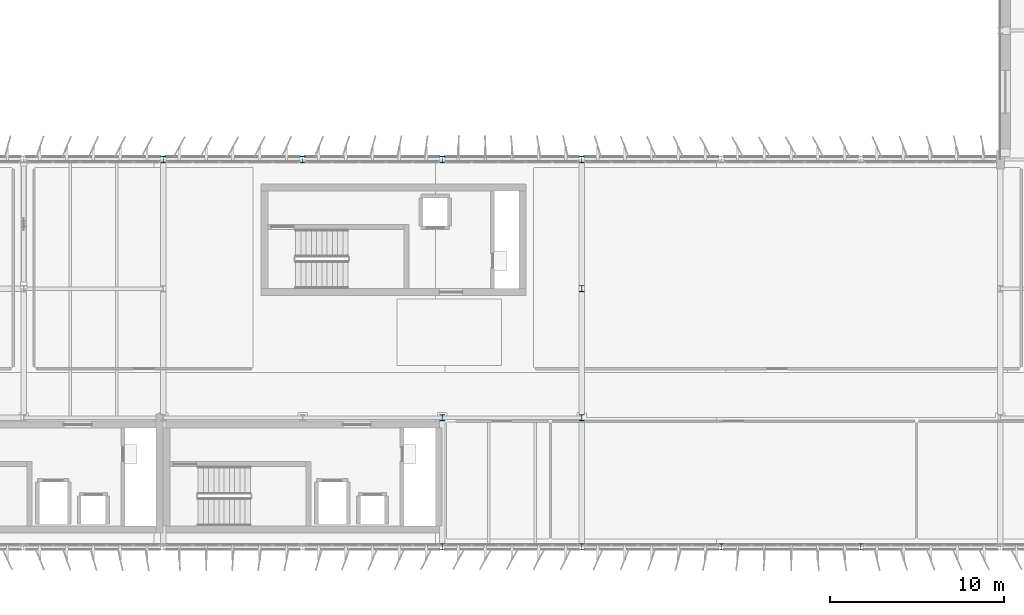
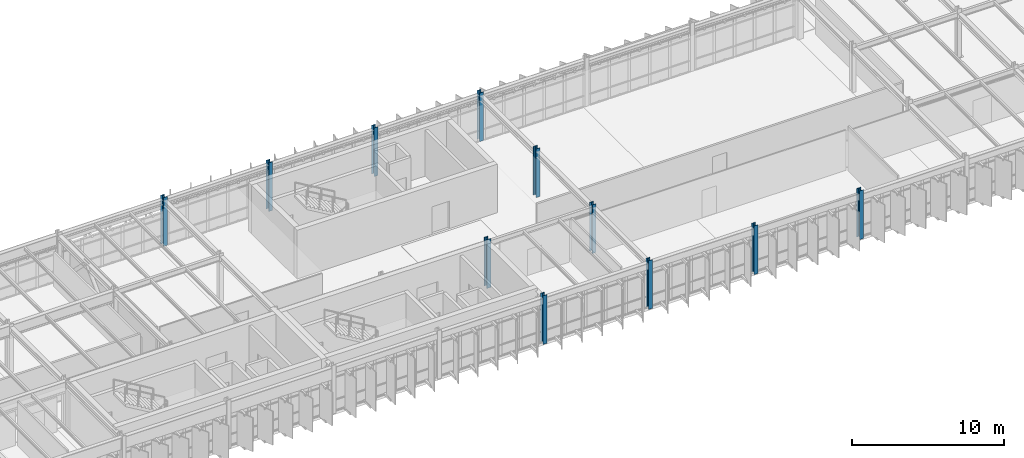
# One storey, part 2 of 45: 11 columns.
"""IFC4 building model written with IfcOpenShell, lengths in metres."""

import ifcopenshell
import ifcopenshell.guid

model = None  # the IFC model being written
_history = None  # IfcOwnerHistory: only IFC2X3 demands one
_inside = {}  # id of a spatial element -> (the spatial element, [elements in it])
_under = {}  # id of a project, library or spatial element -> (it, [spatial elements below it])
_declared = {}  # id of a project -> (the project, [libraries it declares])
_typed = {}  # id of a type object -> (the type object, [elements of that type])
_made_of = {}  # id of a material, layer set ... -> (it, [elements and type objects made of it])


def new_model(schema):
    """Start an empty IFC model of exactly this schema.

    Asked for "IFC4X3", IfcOpenShell would pick the latest addendum, in which some entities
    have other attributes; the version numbers below select the first issue.
    IFC2X3 requires an IfcOwnerHistory on every rooted entity: one is made here for all.
    """
    global model, _history
    if schema == "IFC4X3":
        model = ifcopenshell.file(schema_version=(4, 3, 0, 0))
    else:
        model = ifcopenshell.file(schema=schema)
    _inside.clear()
    _under.clear()
    _declared.clear()
    _typed.clear()
    _made_of.clear()
    _history = None
    if model.schema == "IFC2X3":
        org = make("IfcOrganization", Name="unknown")
        user = make(
            "IfcPersonAndOrganization",
            ThePerson=make("IfcPerson", FamilyName="unknown"),
            TheOrganization=org,
        )
        app = make(
            "IfcApplication",
            ApplicationDeveloper=org,
            Version="unknown",
            ApplicationFullName="unknown",
            ApplicationIdentifier="unknown",
        )
        _history = make(
            "IfcOwnerHistory",
            OwningUser=user,
            OwningApplication=app,
            ChangeAction="ADDED",
            CreationDate=0,
        )
    return model


def make(cls, **values):
    """One entity of the class cls with the attributes given. An attribute that is None is left unset."""
    return model.create_entity(
        cls, **{name: value for name, value in values.items() if value is not None}
    )


def rooted(cls, **values):
    """An entity with a GlobalId (a new one), such as an element, a storey or a relation."""
    return make(cls, GlobalId=ifcopenshell.guid.new(), OwnerHistory=_history, **values)


def si_unit(unit_type, name, prefix=None):
    """IfcSIUnit, for example si_unit("LENGTHUNIT", "METRE", prefix="MILLI")."""
    return make("IfcSIUnit", UnitType=unit_type, Prefix=prefix, Name=name)


def assignment(units):
    """IfcUnitAssignment: the units of a project."""
    return None if units is None else make("IfcUnitAssignment", Units=units)


def point(xyz):
    """IfcCartesianPoint."""
    return None if xyz is None else make("IfcCartesianPoint", Coordinates=xyz)


def direction(xyz):
    """IfcDirection."""
    return None if xyz is None else make("IfcDirection", DirectionRatios=xyz)


def frame(location, z_axis=None, x_axis=None):
    """IfcAxis2Placement3D, a coordinate frame: its origin and axes. An axis left out is left unset."""
    return make(
        "IfcAxis2Placement3D",
        Location=point(location),
        Axis=direction(z_axis),
        RefDirection=direction(x_axis),
    )


def frame_2d(location, x_axis=None):
    """IfcAxis2Placement2D, a coordinate frame in the plane: its origin and x axis."""
    return make(
        "IfcAxis2Placement2D", Location=point(location), RefDirection=direction(x_axis)
    )


def origin():
    """The frame at (0, 0, 0) with its axes left unset."""
    return frame((0.0, 0.0, 0.0))


def origin_2d():
    """The frame at (0, 0) in the plane with its x axis left unset."""
    return frame_2d((0.0, 0.0))


def place(relative_to, where):
    """IfcLocalPlacement: puts the frame where relative to a parent placement (None: the world)."""
    return make(
        "IfcLocalPlacement", PlacementRelTo=relative_to, RelativePlacement=where
    )


def context(
    kind, dimensions, precision=None, world=None, true_north=None, identifier=None
):
    """IfcGeometricRepresentationContext, for example the 3D "Model" context."""
    return make(
        "IfcGeometricRepresentationContext",
        ContextIdentifier=identifier,
        ContextType=kind,
        CoordinateSpaceDimension=dimensions,
        Precision=precision,
        WorldCoordinateSystem=world,
        TrueNorth=true_north,
    )


def subcontext(parent, identifier, kind, view, scale=None):
    """IfcGeometricRepresentationSubContext, for example "Body" below "Model"."""
    return make(
        "IfcGeometricRepresentationSubContext",
        ContextIdentifier=identifier,
        ContextType=kind,
        ParentContext=parent,
        TargetScale=scale,
        TargetView=view,
    )


def project(units=None, contexts=None):
    """IfcProject with its units and contexts."""
    return rooted(
        "IfcProject",
        Name="project",
        RepresentationContexts=contexts,
        UnitsInContext=assignment(units),
    )


def spatial(cls, under=None, at=None, **own):
    """A site, building, storey or space (cls), placed at a placement, below another one or the project."""
    s = rooted(cls, ObjectPlacement=at, **own)
    if under is not None:
        _under.setdefault(under.id(), (under, []))[1].append(s)
    return s


def profile(cls, at=None, kind="AREA", **sizes):
    """A parametric profile (cls). Its sizes go by their IFC names, for example OverallWidth=200.0."""
    return make(cls, ProfileType=kind, Position=at, **sizes)


def i_section(**sizes):
    """IfcIShapeProfileDef."""
    return profile("IfcIShapeProfileDef", **sizes)


def extrude(swept, where, along, depth):
    """IfcExtrudedAreaSolid: the profile swept, set in the frame where, extruded along a direction by depth."""
    return make(
        "IfcExtrudedAreaSolid",
        SweptArea=swept,
        Position=where,
        ExtrudedDirection=direction(along),
        Depth=depth,
    )


def shape(context_of_items, identifier, shape_type, items):
    """IfcShapeRepresentation: the items that make up one representation, for example the "Body"."""
    return make(
        "IfcShapeRepresentation",
        ContextOfItems=context_of_items,
        RepresentationIdentifier=identifier,
        RepresentationType=shape_type,
        Items=items,
    )


def material(Name=None, Category=None):
    """IfcMaterial."""
    return make("IfcMaterial", Name=Name, Category=Category)


def material_profile(
    of_material, cross_section, Name=None, Category=None, Priority=None
):
    """IfcMaterialProfile: a cross section and its material."""
    return make(
        "IfcMaterialProfile",
        Name=Name,
        Material=of_material,
        Profile=cross_section,
        Priority=Priority,
        Category=Category,
    )


def profile_set(profiles, Name=None, composite=None):
    """IfcMaterialProfileSet."""
    return make(
        "IfcMaterialProfileSet",
        Name=Name,
        MaterialProfiles=profiles,
        CompositeProfile=composite,
    )


def made_of(thing, what):
    """Note that an element or type object is made of a material, layer set ...; save() writes the relation."""
    if what is not None:
        _made_of.setdefault(what.id(), (what, []))[1].append(thing)
    return thing


def type_object(cls, material=None, **own):
    """A type object (cls), such as IfcWallType, which elements share."""
    return made_of(rooted(cls, **own), material)


def element(
    cls,
    number,
    at=None,
    inside=None,
    cuts=None,
    type_object=None,
    material=None,
    context=None,
    identifier="Body",
    shape_type=None,
    held_by="IfcProductDefinitionShape",
    body=None,
    shapes=None,
    **own,
):
    """One element of the class cls, such as IfcWall. Its Tag is "e" and its number.

    at: its placement. inside: the storey or other place that contains it. cuts: it is an
    opening in that element (IfcRelVoidsElement). A single representation is given by context,
    identifier, shape_type and body (its items); several are given by shapes. held_by: the class
    of the entity that holds the representations. save() writes the other relations.
    """
    e = rooted(cls, Tag="e%d" % number, ObjectPlacement=at, **own)
    if body is not None:
        shapes = [shape(context, identifier, shape_type, body)]
    if shapes is not None:
        e.Representation = make(held_by, Representations=shapes)
    if inside is not None:
        _inside.setdefault(inside.id(), (inside, []))[1].append(e)
    if cuts is not None:
        rooted(
            "IfcRelVoidsElement", RelatingBuildingElement=cuts, RelatedOpeningElement=e
        )
    if type_object is not None:
        _typed.setdefault(type_object.id(), (type_object, []))[1].append(e)
    return made_of(e, material)


def aggregate(whole, parts):
    """IfcRelAggregates: a whole, such as a stair, and the parts it consists of."""
    return rooted("IfcRelAggregates", RelatingObject=whole, RelatedObjects=parts)


def save(model, path):
    """Write the relations noted so far, then the file.

    IfcRelAggregates (storeys below a building ...), IfcRelContainedInSpatialStructure (elements
    in a storey), IfcRelDefinesByType, IfcRelAssociatesMaterial and IfcRelDeclares: one each for
    every whole, place, type object, material and project.
    """
    for whole, parts in _under.values():
        aggregate(whole, parts)
    for where, things in _inside.values():
        rooted(
            "IfcRelContainedInSpatialStructure",
            RelatedElements=things,
            RelatingStructure=where,
        )
    for kind, things in _typed.values():
        rooted("IfcRelDefinesByType", RelatedObjects=things, RelatingType=kind)
    for what, things in _made_of.values():
        rooted("IfcRelAssociatesMaterial", RelatedObjects=things, RelatingMaterial=what)
    for by, libraries in _declared.values():
        rooted("IfcRelDeclares", RelatingContext=by, RelatedDefinitions=libraries)
    model.write(path)


model = new_model("IFC4")

# Units and contexts
model_context = context("Model", 3, precision=1e-05, world=origin(), true_north=direction((0.0, 1.0)))
body_context = subcontext(model_context, "Body", "Model", "MODEL_VIEW")
ifc_project = project(units=[si_unit("LENGTHUNIT", "METRE"), si_unit("AREAUNIT", "SQUARE_METRE"), si_unit("VOLUMEUNIT", "CUBIC_METRE"), si_unit("PLANEANGLEUNIT", "RADIAN"), si_unit("MASSUNIT", "GRAM", prefix="KILO")], contexts=[model_context])

# Site, building, storey
site_placement = place(None, origin())
site = spatial("IfcSite", under=ifc_project, at=site_placement, CompositionType="ELEMENT")
building_placement = place(site_placement, origin())
building = spatial("IfcBuilding", under=site, at=building_placement, Name="Valkorina Park Police Headquarters", CompositionType="ELEMENT")
storey_placement = place(building_placement, frame((0.0, 0.0, 23.300048828125)))
storey = spatial("IfcBuildingStorey", under=building, at=storey_placement, Name="L06", CompositionType="ELEMENT", Elevation=23.300048828125)

# Columns
ifc_material = material(Name="Steel S355", Category="steel")
ifc_material_profile_1 = material_profile(ifc_material, i_section(OverallWidth=0.300048828125, OverallDepth=0.360107421875, WebThickness=0.012451171875, FlangeThickness=0.0224609375, FilletRadius=0.027099609375, at=origin_2d()), Name="HEB 360")
ifc_profile_set_1 = profile_set([ifc_material_profile_1], Name="Steel S355")
column_type_1 = type_object("IfcColumnType", Name="COL-S355-HEB360-EXT", PredefinedType="COLUMN", material=ifc_profile_set_1)
for number, where, z_axis, x_axis, name in (
    (1, (32.800048828125, 59.199951171875, 0.0), (0.0, 0.0, 1.0), (1.0, 0.0, 0.0), "L06 Column 1046"),
    (2, (40.800048828125, 59.199951171875, 0.0), (0.0, 0.0, 1.0), (1.0, 0.0, 0.0), "L06 Column 1049"),
    (3, (48.800048828125, 37.0, 0.0), (0.0, 0.0, 1.0), (1.0, 0.0, 0.0), "L06 Column 1050"),
    (4, (48.800048828125, 59.199951171875, 0.0), (0.0, 0.0, 1.0), (1.0, 0.0, 0.0), "L06 Column 1052"),
    (5, (56.800048828125, 37.0, 0.0), (0.0, 0.0, 1.0), (1.0, 0.0, 0.0), "L06 Column 1053"),
    (6, (56.800048828125, 59.199951171875, 0.0), (0.0, 0.0, 1.0), (1.0, 0.0, 0.0), "L06 Column 1056"),
    (7, (64.800048828125, 37.0, 0.0), (0.0, 0.0, 1.0), (1.0, 0.0, 0.0), "L06 Column 1057"),
    (8, (72.800048828125, 37.0, 0.0), (0.0, 0.0, 1.0), (1.0, 0.0, 0.0), "L06 Column 1059"),
):
    element("IfcColumn", number, at=place(storey_placement, frame(where, z_axis=z_axis, x_axis=x_axis)), inside=storey, type_object=column_type_1, Name=name, PredefinedType="COLUMN", context=body_context, shape_type="SweptSolid", body=[
        extrude(i_section(OverallWidth=0.300048828125, OverallDepth=0.360107421875, WebThickness=0.012451171875, FlangeThickness=0.0224609375, FilletRadius=0.027099609375, at=origin_2d()), origin(), (0.0, 0.0, 1.0), 3.89990234375),
    ])
ifc_material_profile_2 = material_profile(ifc_material, i_section(OverallWidth=0.300048828125, OverallDepth=0.360107421875, WebThickness=0.012451171875, FlangeThickness=0.0224609375, FilletRadius=0.027099609375, at=origin_2d()), Name="HEB 360")
ifc_profile_set_2 = profile_set([ifc_material_profile_2], Name="Steel S355")
column_type_2 = type_object("IfcColumnType", Name="COL-S355-HEB360-INT", PredefinedType="COLUMN", material=ifc_profile_set_2)
for number, where, z_axis, x_axis, name in (
    (9, (48.800048828125, 44.39990234375, 0.0), (0.0, 0.0, 1.0), (1.0, 0.0, 0.0), "L06 Column 1051"),
    (10, (56.800048828125, 44.39990234375, 0.0), (0.0, 0.0, 1.0), (1.0, 0.0, 0.0), "L06 Column 1054"),
    (11, (56.800048828125, 51.800048828125, 0.0), (0.0, 0.0, 1.0), (1.0, 0.0, 0.0), "L06 Column 1055"),
):
    element("IfcColumn", number, at=place(storey_placement, frame(where, z_axis=z_axis, x_axis=x_axis)), inside=storey, type_object=column_type_2, Name=name, PredefinedType="COLUMN", context=body_context, shape_type="SweptSolid", body=[
        extrude(i_section(OverallWidth=0.300048828125, OverallDepth=0.360107421875, WebThickness=0.012451171875, FlangeThickness=0.0224609375, FilletRadius=0.027099609375, at=origin_2d()), origin(), (0.0, 0.0, 1.0), 3.89990234375),
    ])

save(model, "model.ifc")
